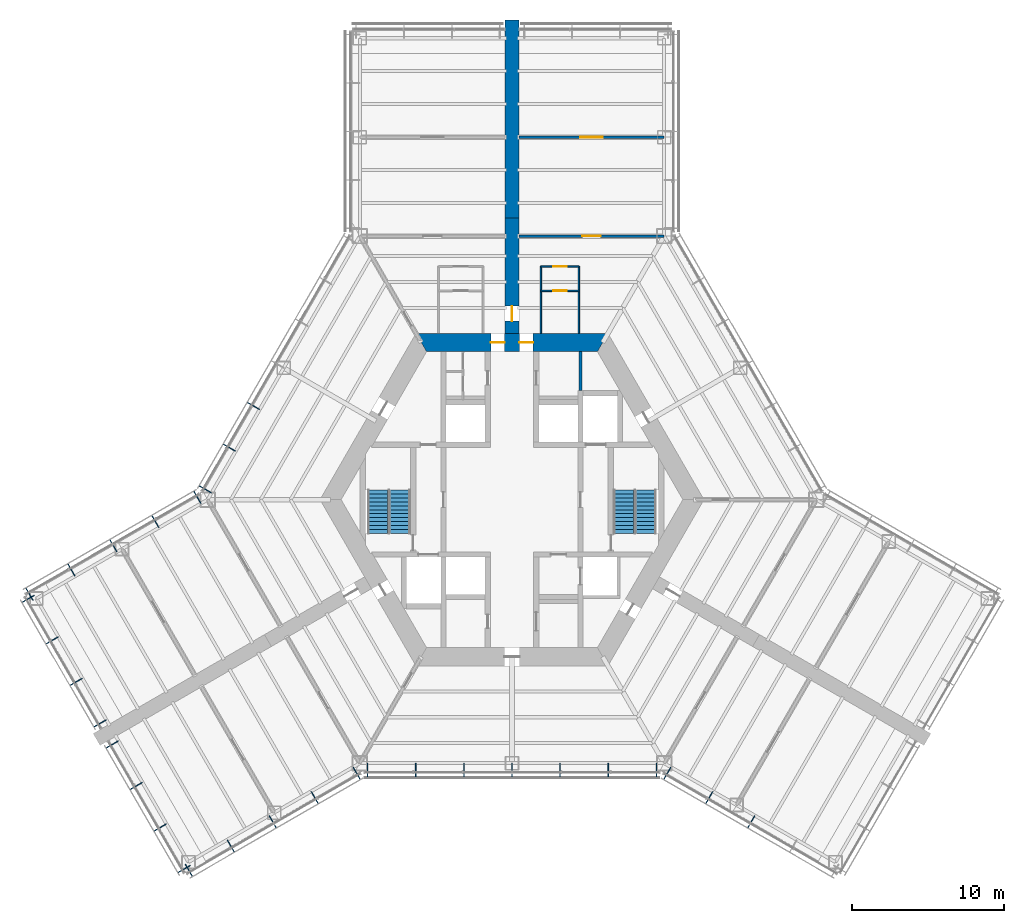
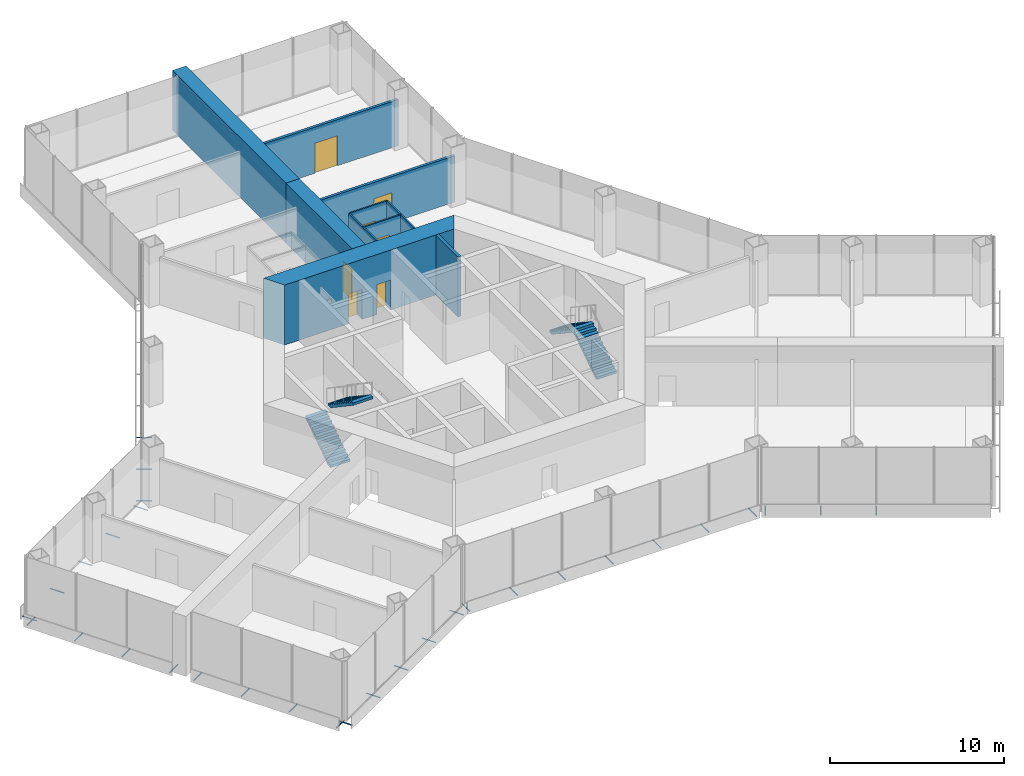
# One storey, part 13 of 15: 31 discrete accessories, 10 walls, 7 doors, 4 stair flights, 7 openings, 2 elements without a shape of their own.
"""IFC4 building model written with IfcOpenShell, lengths in metres."""

from ifc_helpers import new_model, si_unit, direction, frame, frame_2d, origin, origin_2d, place, context, subcontext, project, spatial, polyline, rectangle, hollow_circle, outline, extrude, material, layer, layer_set, material_profile, profile_set, type_object, element, fill, aggregate, save


model = new_model("IFC4")

# Units and contexts
model_context = context("Model", 3, precision=1e-05, world=origin(), true_north=direction((0.0, 1.0)))
body_context = subcontext(model_context, "Body", "Model", "MODEL_VIEW")
ifc_project = project(units=[si_unit("LENGTHUNIT", "METRE"), si_unit("AREAUNIT", "SQUARE_METRE"), si_unit("VOLUMEUNIT", "CUBIC_METRE"), si_unit("PLANEANGLEUNIT", "RADIAN"), si_unit("MASSUNIT", "GRAM", prefix="KILO")], contexts=[model_context])

# Site, building, storey
site_placement = place(None, origin())
site = spatial("IfcSite", under=ifc_project, at=site_placement, CompositionType="ELEMENT")
building_placement = place(site_placement, origin())
building = spatial("IfcBuilding", under=site, at=building_placement, Name="Kasaneha Research Tower", CompositionType="ELEMENT")
storey_placement = place(building_placement, frame((0.0, 0.0, 35.199951171875)))
storey = spatial("IfcBuildingStorey", under=building, at=storey_placement, Name="L09", CompositionType="ELEMENT", Elevation=35.199951171875)

# Wall, openings, doors
ifc_material_1 = material(Name="Concrete Fc100", Category="concrete")
ifc_layer_1 = layer(ifc_material_1, 1.199951171875)
ifc_layer_set_1 = layer_set([ifc_layer_1], Name="Core wall 1200 Fc100")
wall_type_1 = type_object("IfcWallType", Name="Core wall 1200 Fc100", PredefinedType="SHEAR", material=ifc_layer_set_1)
wall_1_placement = place(storey_placement, frame((5.961181640625, 10.324951171875, 0.0), z_axis=(0.0, 0.0, 1.0), x_axis=(-1.0, 0.0, 0.0)))
wall_1 = element("IfcWall", 1, at=wall_1_placement, inside=storey, type_object=wall_type_1, Name="Core wall 090 L09", PredefinedType="SHEAR", context=body_context, shape_type="SweptSolid", body=[
    extrude(outline(polyline([(-0.346435546875, -0.60009765625), (4.57373046875, -0.60009765625), (5.4736328125, -0.60009765625), (6.44873046875, -0.60009765625), (7.3486328125, -0.60009765625), (12.268798828125, -0.60009765625), (11.575927734375, 0.60009765625), (7.3486328125, 0.60009765625), (6.44873046875, 0.60009765625), (5.4736328125, 0.60009765625), (4.57373046875, 0.60009765625), (0.346435546875, 0.60009765625), (-0.346435546875, -0.60009765625)])), origin(), (0.0, 0.0, 1.0), 4.199951171875),
])
opening_1_placement = place(wall_1_placement, frame((6.44873046875, 0.0, 0.0)))
opening_1 = element("IfcOpeningElement", 2, at=opening_1_placement, cuts=wall_1, Name="Opening L09-D01", PredefinedType="OPENING", context=body_context, shape_type="SweptSolid", body=[
    extrude(rectangle(XDim=0.89990234375, YDim=2.10009765625, at=frame_2d((0.449951171875, 1.050048828125))), frame((0.0, 0.60986328125, 0.0), z_axis=(0.0, -1.0, 0.0), x_axis=(1.0, 0.0, 0.0)), (0.0, 0.0, 1.0), 1.219970703125),
])
opening_2_placement = place(wall_1_placement, frame((4.57373046875, 0.0, 0.0)))
opening_2 = element("IfcOpeningElement", 3, at=opening_2_placement, cuts=wall_1, Name="Opening L09-D02", PredefinedType="OPENING", context=body_context, shape_type="SweptSolid", body=[
    extrude(rectangle(XDim=0.89990234375, YDim=2.10009765625, at=frame_2d((0.449951171875, 1.050048828125))), frame((0.0, 0.60986328125, 0.0), z_axis=(0.0, -1.0, 0.0), x_axis=(1.0, 0.0, 0.0)), (0.0, 0.0, 1.0), 1.219970703125),
])
ifc_material_2 = material(Name="Steel", Category="steel")
door_type_1 = type_object("IfcDoorType", Name="Toilet door FD20 900x2100", OperationType="NOTDEFINED", PredefinedType="DOOR", material=ifc_material_2)
door_1_placement = place(opening_1_placement, origin())
door_1 = element("IfcDoor", 4, at=door_1_placement, inside=storey, type_object=door_type_1, Name="Core door north 1 L09-D01", OperationType="SINGLE_SWING_RIGHT", OverallHeight=2.10009765625, OverallWidth=0.89990234375, PredefinedType="DOOR", context=body_context, shape_type="SweptSolid", body=[
    extrude(rectangle(XDim=0.89990234375, YDim=2.10009765625, at=frame_2d((0.449951171875, 1.050048828125))), frame((0.0, 0.02490234375, 0.0), z_axis=(0.0, -1.0, 0.0), x_axis=(1.0, 0.0, 0.0)), (0.0, 0.0, 1.0), 0.050048828125),
])
fill(opening_1, door_1)
door_2_placement = place(opening_2_placement, origin())
door_2 = element("IfcDoor", 5, at=door_2_placement, inside=storey, type_object=door_type_1, Name="Core door north 2 L09-D02", OperationType="SINGLE_SWING_LEFT", OverallHeight=2.10009765625, OverallWidth=0.89990234375, PredefinedType="DOOR", context=body_context, shape_type="SweptSolid", body=[
    extrude(rectangle(XDim=0.89990234375, YDim=2.10009765625, at=frame_2d((0.449951171875, 1.050048828125))), frame((0.0, 0.02490234375, 0.0), z_axis=(0.0, -1.0, 0.0), x_axis=(1.0, 0.0, 0.0)), (0.0, 0.0, 1.0), 0.050048828125),
])
fill(opening_2, door_2)

# Wall, opening, door
ifc_material_3 = material(Name="Gypsum board on steel studs, two layers each side", Category="steel")
ifc_layer_2 = layer(ifc_material_3, 0.175048828125)
ifc_layer_set_2 = layer_set([ifc_layer_2], Name="Laboratory fire partition 175")
wall_type_2 = type_object("IfcWallType", Name="Laboratory fire partition 175", PredefinedType="PARTITIONING", material=ifc_layer_set_2)
wall_2_placement = place(storey_placement, frame((0.449951171875, 17.320556640625, 0.0), z_axis=(0.0, 0.0, 1.0), x_axis=(1.0, 0.0, 0.0)))
wall_2 = element("IfcWall", 6, at=wall_2_placement, inside=storey, type_object=wall_type_2, Name="Laboratory fire partition LABA-E L09", PredefinedType="PARTITIONING", context=body_context, shape_type="SweptSolid", body=[
    extrude(rectangle(XDim=9.550048828125, YDim=0.175048828125, at=frame_2d((4.77490234375, 0.0))), origin(), (0.0, 0.0, 1.0), 3.238037109375),
])
opening_3_placement = place(wall_2_placement, frame((4.175048828125, 0.0, 0.0)))
opening_3 = element("IfcOpeningElement", 7, at=opening_3_placement, cuts=wall_2, Name="Opening L09-D27", PredefinedType="OPENING", context=body_context, shape_type="SweptSolid", body=[
    extrude(rectangle(XDim=1.199951171875, YDim=2.10009765625, at=frame_2d((0.60009765625, 1.050048828125))), frame((0.0, 0.09765625, 0.0), z_axis=(0.0, -1.0, 0.0), x_axis=(1.0, 0.0, 0.0)), (0.0, 0.0, 1.0), 0.195068359375),
])
ifc_material_4 = material(Name="Steel", Category="steel")
door_type_2 = type_object("IfcDoorType", Name="Laboratory door FD60 1200x2100", OperationType="DOUBLE_DOOR_SINGLE_SWING", PredefinedType="DOOR", material=ifc_material_4)
door_3_placement = place(opening_3_placement, origin())
door_3 = element("IfcDoor", 8, at=door_3_placement, inside=storey, type_object=door_type_2, Name="Laboratory door L09-D27", OperationType="DOUBLE_DOOR_SINGLE_SWING", OverallHeight=2.10009765625, OverallWidth=1.199951171875, PredefinedType="DOOR", context=body_context, shape_type="SweptSolid", body=[
    extrude(rectangle(XDim=1.199951171875, YDim=2.10009765625, at=frame_2d((0.60009765625, 1.050048828125))), frame((0.0, 0.02490234375, 0.0), z_axis=(0.0, -1.0, 0.0), x_axis=(1.0, 0.0, 0.0)), (0.0, 0.0, 1.0), 0.050048828125),
])
fill(opening_3, door_3)

wall_3_placement = place(storey_placement, frame((0.449951171875, 23.820556640625, 0.0), z_axis=(0.0, 0.0, 1.0), x_axis=(1.0, 0.0, 0.0)))
wall_3 = element("IfcWall", 9, at=wall_3_placement, inside=storey, type_object=wall_type_2, Name="Laboratory fire partition INSA-E L09", PredefinedType="PARTITIONING", context=body_context, shape_type="SweptSolid", body=[
    extrude(rectangle(XDim=9.550048828125, YDim=0.175048828125, at=frame_2d((4.77490234375, 0.0))), origin(), (0.0, 0.0, 1.0), 3.22998046875),
])
opening_4_placement = place(wall_3_placement, frame((4.02490234375, 0.0, 0.0)))
opening_4 = element("IfcOpeningElement", 10, at=opening_4_placement, cuts=wall_3, Name="Opening L09-D28", PredefinedType="OPENING", context=body_context, shape_type="SweptSolid", body=[
    extrude(rectangle(XDim=1.5, YDim=2.10009765625, at=frame_2d((0.75, 1.050048828125))), frame((0.0, 0.09765625, 0.0), z_axis=(0.0, -1.0, 0.0), x_axis=(1.0, 0.0, 0.0)), (0.0, 0.0, 1.0), 0.195068359375),
])
ifc_material_5 = material(Name="Steel", Category="steel")
door_type_3 = type_object("IfcDoorType", Name="Laboratory door FD60 1500x2100", OperationType="DOUBLE_DOOR_SINGLE_SWING", PredefinedType="DOOR", material=ifc_material_5)
door_4_placement = place(opening_4_placement, origin())
door_4 = element("IfcDoor", 11, at=door_4_placement, inside=storey, type_object=door_type_3, Name="Instrument room door L09-D28", OperationType="DOUBLE_DOOR_SINGLE_SWING", OverallHeight=2.10009765625, OverallWidth=1.5, PredefinedType="DOOR", context=body_context, shape_type="SweptSolid", body=[
    extrude(rectangle(XDim=1.5, YDim=2.10009765625, at=frame_2d((0.75, 1.050048828125))), frame((0.0, 0.02490234375, 0.0), z_axis=(0.0, -1.0, 0.0), x_axis=(1.0, 0.0, 0.0)), (0.0, 0.0, 1.0), 0.050048828125),
])
fill(opening_4, door_4)

ifc_material_6 = material(Name="Gypsum board on steel studs, one layer each side", Category="steel")
ifc_layer_3 = layer(ifc_material_6, 0.10009765625)
ifc_layer_set_3 = layer_set([ifc_layer_3], Name="Office partition 100")
wall_type_3 = type_object("IfcWallType", Name="Office partition 100", PredefinedType="PARTITIONING", material=ifc_layer_set_3)
wall_4_placement = place(storey_placement, frame((1.89990234375, 13.72509765625, 0.0), z_axis=(0.0, 0.0, 1.0), x_axis=(1.0, 0.0, 0.0)))
wall_4 = element("IfcWall", 12, at=wall_4_placement, inside=storey, type_object=wall_type_3, Name="Office partition WCAE1 L09", PredefinedType="PARTITIONING", context=body_context, shape_type="SweptSolid", body=[
    extrude(rectangle(XDim=2.5, YDim=0.10009765625, at=frame_2d((1.25, 0.0))), origin(), (0.0, 0.0, 1.0), 3.22998046875),
])
opening_5_placement = place(wall_4_placement, frame((0.800048828125, 0.0, 0.0)))
opening_5 = element("IfcOpeningElement", 13, at=opening_5_placement, cuts=wall_4, Name="Opening L09-D25", PredefinedType="OPENING", context=body_context, shape_type="SweptSolid", body=[
    extrude(rectangle(XDim=0.89990234375, YDim=2.10009765625, at=frame_2d((0.449951171875, 1.050048828125))), frame((0.0, 0.06005859375, 0.0), z_axis=(0.0, -1.0, 0.0), x_axis=(1.0, 0.0, 0.0)), (0.0, 0.0, 1.0), 0.1201171875),
])
ifc_material_7 = material(Name="Steel", Category="steel")
door_type_4 = type_object("IfcDoorType", Name="Toilet lobby door FD30 900x2100", OperationType="NOTDEFINED", PredefinedType="DOOR", material=ifc_material_7)
door_5_placement = place(opening_5_placement, origin())
door_5 = element("IfcDoor", 14, at=door_5_placement, inside=storey, type_object=door_type_4, Name="Women's WC door L09-D25", OperationType="SINGLE_SWING_LEFT", OverallHeight=2.10009765625, OverallWidth=0.89990234375, PredefinedType="DOOR", context=body_context, shape_type="SweptSolid", body=[
    extrude(rectangle(XDim=0.89990234375, YDim=2.10009765625, at=frame_2d((0.449951171875, 1.050048828125))), frame((0.0, 0.02490234375, 0.0), z_axis=(0.0, -1.0, 0.0), x_axis=(1.0, 0.0, 0.0)), (0.0, 0.0, 1.0), 0.050048828125),
])
fill(opening_5, door_5)

wall_5_placement = place(storey_placement, frame((1.89990234375, 15.324951171875, 0.0), z_axis=(0.0, 0.0, 1.0), x_axis=(1.0, 0.0, 0.0)))
wall_5 = element("IfcWall", 15, at=wall_5_placement, inside=storey, type_object=wall_type_3, Name="Office partition WCAE4 L09", PredefinedType="PARTITIONING", context=body_context, shape_type="SweptSolid", body=[
    extrude(rectangle(XDim=2.5, YDim=0.10009765625, at=frame_2d((1.25, 0.0))), origin(), (0.0, 0.0, 1.0), 3.22998046875),
])
opening_6_placement = place(wall_5_placement, frame((0.800048828125, 0.0, 0.0)))
opening_6 = element("IfcOpeningElement", 16, at=opening_6_placement, cuts=wall_5, Name="Opening L09-D26", PredefinedType="OPENING", context=body_context, shape_type="SweptSolid", body=[
    extrude(rectangle(XDim=0.89990234375, YDim=2.10009765625, at=frame_2d((0.449951171875, 1.050048828125))), frame((0.0, 0.06005859375, 0.0), z_axis=(0.0, -1.0, 0.0), x_axis=(1.0, 0.0, 0.0)), (0.0, 0.0, 1.0), 0.1201171875),
])
door_6_placement = place(opening_6_placement, origin())
door_6 = element("IfcDoor", 17, at=door_6_placement, inside=storey, type_object=door_type_4, Name="Toilet lobby door L09-D26", OperationType="SINGLE_SWING_LEFT", OverallHeight=2.10009765625, OverallWidth=0.89990234375, PredefinedType="DOOR", context=body_context, shape_type="SweptSolid", body=[
    extrude(rectangle(XDim=0.89990234375, YDim=2.10009765625, at=frame_2d((0.449951171875, 1.050048828125))), frame((0.0, 0.02490234375, 0.0), z_axis=(0.0, -1.0, 0.0), x_axis=(1.0, 0.0, 0.0)), (0.0, 0.0, 1.0), 0.050048828125),
])
fill(opening_6, door_6)

# Walls
for number, where, z_axis, x_axis, name in (
    (18, (1.89990234375, 10.925048828125, 0.0), (0.0, 0.0, 1.0), (0.0, 1.0, 0.0), "Office partition WCAE2 L09"),
    (19, (4.39990234375, 10.925048828125, 0.0), (0.0, 0.0, 1.0), (0.0, 1.0, 0.0), "Office partition WCAE3 L09"),
):
    element("IfcWall", number, at=place(storey_placement, frame(where, z_axis=z_axis, x_axis=x_axis)), inside=storey, type_object=wall_type_3, Name=name, PredefinedType="PARTITIONING", context=body_context, shape_type="SweptSolid", body=[
        extrude(rectangle(XDim=4.39990234375, YDim=0.10009765625, at=frame_2d((2.199951171875, 0.0))), origin(), (0.0, 0.0, 1.0), 3.22998046875),
    ])
ifc_material_8 = material(Name="Concrete block", Category="concrete")
ifc_layer_4 = layer(ifc_material_8, 0.199951171875)
ifc_layer_set_4 = layer_set([ifc_layer_4], Name="Riser enclosure wall 200")
wall_type_4 = type_object("IfcWallType", Name="Riser enclosure wall 200", PredefinedType="STANDARD", material=ifc_layer_set_4)
wall_6_placement = place(storey_placement, frame((4.5, 7.175048828125, 0.0), z_axis=(0.0, 0.0, 1.0), x_axis=(0.0, 1.0, 0.0)))
element("IfcWall", 20, at=wall_6_placement, inside=storey, type_object=wall_type_4, Name="Riser enclosure wall L09", PredefinedType="STANDARD", context=body_context, shape_type="SweptSolid", body=[
    extrude(rectangle(XDim=2.550048828125, YDim=0.199951171875, at=frame_2d((1.27490234375, 0.0))), origin(), (0.0, 0.0, 1.0), 4.199951171875),
])

# Wall, opening, door
ifc_material_9 = material(Name="Concrete Fc100", Category="concrete")
ifc_layer_5 = layer(ifc_material_9, 0.89990234375)
ifc_layer_set_5 = layer_set([ifc_layer_5], Name="Spine wall 900 Fc100")
wall_type_5 = type_object("IfcWallType", Name="Spine wall 900 Fc100", PredefinedType="SHEAR", material=ifc_layer_set_5)
wall_7_placement = place(storey_placement, frame((0.0, 10.925048828125, 0.0), z_axis=(0.0, 0.0, 1.0), x_axis=(0.0, 1.0, 0.0)))
wall_7 = element("IfcWall", 21, at=wall_7_placement, inside=storey, type_object=wall_type_5, Name="Spine wall A L09", PredefinedType="SHEAR", context=body_context, shape_type="SweptSolid", body=[
    extrude(rectangle(XDim=7.595458984375, YDim=0.89990234375, at=frame_2d((3.7978515625, 0.0))), origin(), (0.0, 0.0, 1.0), 4.199951171875),
])
opening_7_placement = place(wall_7_placement, frame((0.800048828125, 0.0, 0.0)))
opening_7 = element("IfcOpeningElement", 22, at=opening_7_placement, cuts=wall_7, Name="Opening L09-D17", PredefinedType="OPENING", context=body_context, shape_type="SweptSolid", body=[
    extrude(rectangle(XDim=1.0, YDim=2.10009765625, at=frame_2d((0.5, 1.050048828125))), frame((0.0, 0.4599609375, 0.0), z_axis=(0.0, -1.0, 0.0), x_axis=(1.0, 0.0, 0.0)), (0.0, 0.0, 1.0), 0.919921875),
])
ifc_material_10 = material(Name="Steel", Category="steel")
door_type_5 = type_object("IfcDoorType", Name="Specified fire door FD60 1000x2100", OperationType="NOTDEFINED", PredefinedType="DOOR", material=ifc_material_10)
door_7_placement = place(opening_7_placement, origin())
door_7 = element("IfcDoor", 23, at=door_7_placement, inside=storey, type_object=door_type_5, Name="Spine doorway A L09-D17", OperationType="SINGLE_SWING_LEFT", OverallHeight=2.10009765625, OverallWidth=1.0, PredefinedType="DOOR", context=body_context, shape_type="SweptSolid", body=[
    extrude(rectangle(XDim=1.0, YDim=2.10009765625, at=frame_2d((0.5, 1.050048828125))), frame((0.0, 0.02490234375, 0.0), z_axis=(0.0, -1.0, 0.0), x_axis=(1.0, 0.0, 0.0)), (0.0, 0.0, 1.0), 0.050048828125),
])
fill(opening_7, door_7)

# Wall
wall_8_placement = place(storey_placement, frame((0.0, 18.5205078125, 0.0), z_axis=(0.0, 0.0, 1.0), x_axis=(0.0, 1.0, 0.0)))
element("IfcWall", 24, at=wall_8_placement, inside=storey, type_object=wall_type_5, Name="Spine wall A wing L09", PredefinedType="SHEAR", context=body_context, shape_type="SweptSolid", body=[
    extrude(rectangle(XDim=13.0, YDim=0.89990234375, at=frame_2d((6.5, 0.0))), origin(), (0.0, 0.0, 1.0), 4.199951171875),
])

# Stair, stair flights
ifc_material_11 = material(Name="Concrete Fc24", Category="concrete")
stair_type = type_object("IfcStairType", Name="Half-turn stair 24 risers", PredefinedType="HALF_TURN_STAIR", material=ifc_material_11)
stair_1_placement = place(storey_placement, origin())
stair_1 = element("IfcStair", 25, at=stair_1_placement, inside=storey, type_object=stair_type, Name="Stair 1 L09", PredefinedType="HALF_TURN_STAIR")
ifc_material_12 = material(Name="Concrete Fc24", Category="concrete")
stair_flight_type = type_object("IfcStairFlightType", Name="Stair flight 12 risers 175.0", PredefinedType="STRAIGHT", material=ifc_material_12)
stair_flight_1_placement = place(storey_placement, frame((8.824951171875, -2.22509765625, 0.0), z_axis=(0.0, 0.0, 1.0), x_axis=(0.0, 1.0, 0.0)))
stair_flight_1 = element("IfcStairFlight", 26, at=stair_flight_1_placement, type_object=stair_flight_type, Name="ST1-24R flight 1", NumberOfRisers=12, NumberOfTreads=11, PredefinedType="STRAIGHT", RiserHeight=0.175, TreadLength=0.26, context=body_context, shape_type="SweptSolid", body=[
    extrude(outline(polyline([(0.0, 0.0), (0.0, 0.175048828125), (0.260009765625, 0.175048828125), (0.260009765625, 0.35009765625), (0.52001953125, 0.35009765625), (0.52001953125, 0.52490234375), (0.780029296875, 0.52490234375), (0.780029296875, 0.699951171875), (1.0400390625, 0.699951171875), (1.0400390625, 0.875), (1.300048828125, 0.875), (1.300048828125, 1.050048828125), (1.56005859375, 1.050048828125), (1.56005859375, 1.22509765625), (1.820068359375, 1.22509765625), (1.820068359375, 1.39990234375), (2.080078125, 1.39990234375), (2.080078125, 1.574951171875), (2.340087890625, 1.574951171875), (2.340087890625, 1.75), (2.60009765625, 1.75), (2.60009765625, 1.925048828125), (2.860107421875, 1.925048828125), (2.860107421875, 2.10009765625), (2.860107421875, 1.744384765625), (0.2685546875, 0.0), (0.0, 0.0)])), frame((0.0, 0.64990234375, 0.0), z_axis=(0.0, -1.0, 0.0), x_axis=(1.0, 0.0, 0.0)), (0.0, 0.0, 1.0), 1.300048828125),
])
stair_flight_2_placement = place(storey_placement, frame((7.324951171875, 0.635009765625, 2.10009765625), z_axis=(0.0, 0.0, 1.0), x_axis=(0.0, -1.0, 0.0)))
stair_flight_2 = element("IfcStairFlight", 27, at=stair_flight_2_placement, type_object=stair_flight_type, Name="ST1-24R flight 2", NumberOfRisers=12, NumberOfTreads=11, PredefinedType="STRAIGHT", RiserHeight=0.175, TreadLength=0.26, context=body_context, shape_type="SweptSolid", body=[
    extrude(outline(polyline([(0.0, 0.0), (0.0, 0.175048828125), (0.260009765625, 0.175048828125), (0.260009765625, 0.35009765625), (0.52001953125, 0.35009765625), (0.52001953125, 0.52490234375), (0.780029296875, 0.52490234375), (0.780029296875, 0.699951171875), (1.0400390625, 0.699951171875), (1.0400390625, 0.875), (1.300048828125, 0.875), (1.300048828125, 1.050048828125), (1.56005859375, 1.050048828125), (1.56005859375, 1.22509765625), (1.820068359375, 1.22509765625), (1.820068359375, 1.39990234375), (2.080078125, 1.39990234375), (2.080078125, 1.574951171875), (2.340087890625, 1.574951171875), (2.340087890625, 1.75), (2.60009765625, 1.75), (2.60009765625, 1.925048828125), (2.860107421875, 1.925048828125), (2.860107421875, 2.10009765625), (2.860107421875, 1.744384765625), (0.2685546875, 0.0), (0.0, 0.0)])), frame((0.0, 0.64990234375, 0.0), z_axis=(0.0, -1.0, 0.0), x_axis=(1.0, 0.0, 0.0)), (0.0, 0.0, 1.0), 1.300048828125),
])
aggregate(stair_1, [stair_flight_1, stair_flight_2])

stair_2_placement = place(storey_placement, origin())
stair_2 = element("IfcStair", 28, at=stair_2_placement, inside=storey, type_object=stair_type, Name="Stair 2 L09", PredefinedType="HALF_TURN_STAIR")
stair_flight_3_placement = place(storey_placement, frame((-8.824951171875, -2.22509765625, 0.0), z_axis=(0.0, 0.0, 1.0), x_axis=(0.0, 1.0, 0.0)))
stair_flight_3 = element("IfcStairFlight", 29, at=stair_flight_3_placement, type_object=stair_flight_type, Name="ST2-24R flight 1", NumberOfRisers=12, NumberOfTreads=11, PredefinedType="STRAIGHT", RiserHeight=0.175, TreadLength=0.26, context=body_context, shape_type="SweptSolid", body=[
    extrude(outline(polyline([(0.0, 0.0), (0.0, 0.175048828125), (0.260009765625, 0.175048828125), (0.260009765625, 0.35009765625), (0.52001953125, 0.35009765625), (0.52001953125, 0.52490234375), (0.780029296875, 0.52490234375), (0.780029296875, 0.699951171875), (1.0400390625, 0.699951171875), (1.0400390625, 0.875), (1.300048828125, 0.875), (1.300048828125, 1.050048828125), (1.56005859375, 1.050048828125), (1.56005859375, 1.22509765625), (1.820068359375, 1.22509765625), (1.820068359375, 1.39990234375), (2.080078125, 1.39990234375), (2.080078125, 1.574951171875), (2.340087890625, 1.574951171875), (2.340087890625, 1.75), (2.60009765625, 1.75), (2.60009765625, 1.925048828125), (2.860107421875, 1.925048828125), (2.860107421875, 2.10009765625), (2.860107421875, 1.744384765625), (0.2685546875, 0.0), (0.0, 0.0)])), frame((0.0, 0.64990234375, 0.0), z_axis=(0.0, -1.0, 0.0), x_axis=(1.0, 0.0, 0.0)), (0.0, 0.0, 1.0), 1.300048828125),
])
stair_flight_4_placement = place(storey_placement, frame((-7.324951171875, 0.635009765625, 2.10009765625), z_axis=(0.0, 0.0, 1.0), x_axis=(0.0, -1.0, 0.0)))
stair_flight_4 = element("IfcStairFlight", 30, at=stair_flight_4_placement, type_object=stair_flight_type, Name="ST2-24R flight 2", NumberOfRisers=12, NumberOfTreads=11, PredefinedType="STRAIGHT", RiserHeight=0.175, TreadLength=0.26, context=body_context, shape_type="SweptSolid", body=[
    extrude(outline(polyline([(0.0, 0.0), (0.0, 0.175048828125), (0.260009765625, 0.175048828125), (0.260009765625, 0.35009765625), (0.52001953125, 0.35009765625), (0.52001953125, 0.52490234375), (0.780029296875, 0.52490234375), (0.780029296875, 0.699951171875), (1.0400390625, 0.699951171875), (1.0400390625, 0.875), (1.300048828125, 0.875), (1.300048828125, 1.050048828125), (1.56005859375, 1.050048828125), (1.56005859375, 1.22509765625), (1.820068359375, 1.22509765625), (1.820068359375, 1.39990234375), (2.080078125, 1.39990234375), (2.080078125, 1.574951171875), (2.340087890625, 1.574951171875), (2.340087890625, 1.75), (2.60009765625, 1.75), (2.60009765625, 1.925048828125), (2.860107421875, 1.925048828125), (2.860107421875, 2.10009765625), (2.860107421875, 1.744384765625), (0.2685546875, 0.0), (0.0, 0.0)])), frame((0.0, 0.64990234375, 0.0), z_axis=(0.0, -1.0, 0.0), x_axis=(1.0, 0.0, 0.0)), (0.0, 0.0, 1.0), 1.300048828125),
])
aggregate(stair_2, [stair_flight_3, stair_flight_4])

# Discrete accessories
ifc_material_13 = material(Name="Steel STK400", Category="steel")
ifc_material_profile = material_profile(ifc_material_13, hollow_circle(Radius=0.0380859375, WallThickness=0.00390625, at=origin_2d()), Name="CHS-76.3x4.0")
ifc_profile_set = profile_set([ifc_material_profile], Name="Steel STK400")
discrete_accessory_type = type_object("IfcDiscreteAccessoryType", Name="Screen bracket CHS-76.3x4.0", PredefinedType="BRACKET", material=ifc_profile_set)
discrete_accessory_1_placement = place(storey_placement, frame((-21.474853515625, -23.945556640625, -0.320068359375), z_axis=(0.500021113727, -0.866013213425, 0.0), x_axis=(0.866013213425, 0.500021113727, 0.0)))
element("IfcDiscreteAccessory", 31, at=discrete_accessory_1_placement, inside=storey, type_object=discrete_accessory_type, Name="Screen bracket 1", PredefinedType="BRACKET", context=body_context, shape_type="SweptSolid", body=[
    extrude(hollow_circle(Radius=0.0380859375, WallThickness=0.00390625, at=origin_2d()), origin(), (0.0, 0.0, 1.0), 0.919921875),
])
discrete_accessory_2_placement = place(storey_placement, frame((-18.716796875, -22.35302734375, -0.320068359375), z_axis=(0.500105201737, -0.865964657013, 0.0), x_axis=(0.865964657013, 0.500105201737, 0.0)))
element("IfcDiscreteAccessory", 32, at=discrete_accessory_2_placement, inside=storey, type_object=discrete_accessory_type, Name="Screen bracket 2", PredefinedType="BRACKET", context=body_context, shape_type="SweptSolid", body=[
    extrude(hollow_circle(Radius=0.0380859375, WallThickness=0.00390625, at=origin_2d()), origin(), (0.0, 0.0, 1.0), 0.920166015625),
])
discrete_accessory_3_placement = place(storey_placement, frame((-15.95849609375, -20.7607421875, -0.320068359375), z_axis=(0.500021113727, -0.866013213425, 0.0), x_axis=(0.866013213425, 0.500021113727, 0.0)))
element("IfcDiscreteAccessory", 33, at=discrete_accessory_3_placement, inside=storey, type_object=discrete_accessory_type, Name="Screen bracket 3", PredefinedType="BRACKET", context=body_context, shape_type="SweptSolid", body=[
    extrude(hollow_circle(Radius=0.0380859375, WallThickness=0.00390625, at=origin_2d()), origin(), (0.0, 0.0, 1.0), 0.919921875),
])
discrete_accessory_4_placement = place(storey_placement, frame((-13.200439453125, -19.168212890625, -0.320068359375), z_axis=(0.499906209203, -0.866079547155, 0.0), x_axis=(0.866079547155, 0.499906209203, 0.0)))
element("IfcDiscreteAccessory", 34, at=discrete_accessory_4_placement, inside=storey, type_object=discrete_accessory_type, Name="Screen bracket 4", PredefinedType="BRACKET", context=body_context, shape_type="SweptSolid", body=[
    extrude(hollow_circle(Radius=0.0380859375, WallThickness=0.00390625, at=origin_2d()), origin(), (0.0, 0.0, 1.0), 0.920166015625),
])
for number, where, z_axis, x_axis, name in (
    (35, (-10.4423828125, -17.575927734375, -0.320068359375), (0.500021113727, -0.866013213425, 0.0), (0.866013213425, 0.500021113727, 0.0), "Screen bracket 5"),
    (36, (-9.4892578125, -17.320556640625, -0.320068359375), (0.0, -1.0, 0.0), (1.0, 0.0, 0.0), "Screen bracket 1"),
    (37, (-6.326171875, -17.320556640625, -0.320068359375), (0.0, -1.0, 0.0), (1.0, 0.0, 0.0), "Screen bracket 2"),
    (38, (-3.1630859375, -17.320556640625, -0.320068359375), (0.0, -1.0, 0.0), (1.0, 0.0, 0.0), "Screen bracket 3"),
    (39, (0.0, -17.320556640625, -0.320068359375), (0.0, -1.0, 0.0), (1.0, 0.0, 0.0), "Screen bracket 4"),
    (40, (3.1630859375, -17.320556640625, -0.320068359375), (0.0, -1.0, 0.0), (1.0, 0.0, 0.0), "Screen bracket 5"),
    (41, (6.326171875, -17.320556640625, -0.320068359375), (0.0, -1.0, 0.0), (1.0, 0.0, 0.0), "Screen bracket 6"),
    (42, (9.4892578125, -17.320556640625, -0.320068359375), (0.0, -1.0, 0.0), (1.0, 0.0, 0.0), "Screen bracket 7"),
    (43, (10.4423828125, -17.575927734375, -0.320068359375), (-0.500021113727, -0.866013213425, 0.0), (0.866013213425, -0.500021113727, 0.0), "Screen bracket 1"),
):
    element("IfcDiscreteAccessory", number, at=place(storey_placement, frame(where, z_axis=z_axis, x_axis=x_axis)), inside=storey, type_object=discrete_accessory_type, Name=name, PredefinedType="BRACKET", context=body_context, shape_type="SweptSolid", body=[
        extrude(hollow_circle(Radius=0.0380859375, WallThickness=0.00390625, at=origin_2d()), origin(), (0.0, 0.0, 1.0), 0.919921875),
    ])
discrete_accessory_5_placement = place(storey_placement, frame((13.200439453125, -19.168212890625, -0.320068359375), z_axis=(-0.499906209203, -0.866079547155, 0.0), x_axis=(0.866079547155, -0.499906209203, 0.0)))
element("IfcDiscreteAccessory", 44, at=discrete_accessory_5_placement, inside=storey, type_object=discrete_accessory_type, Name="Screen bracket 2", PredefinedType="BRACKET", context=body_context, shape_type="SweptSolid", body=[
    extrude(hollow_circle(Radius=0.0380859375, WallThickness=0.00390625, at=origin_2d()), origin(), (0.0, 0.0, 1.0), 0.920166015625),
])
for number, where, z_axis, x_axis, name in (
    (45, (15.95849609375, -20.7607421875, -0.320068359375), (-0.500021113727, -0.866013213425, 0.0), (0.866013213425, -0.500021113727, 0.0), "Screen bracket 3"),
    (46, (-16.58154296875, 5.9208984375, -0.320068359375), (-0.866013213425, 0.500021113727, 0.0), (-0.500021113727, -0.866013213425, 0.0), "Screen bracket 5"),
    (47, (-18.1630859375, 3.181640625, -0.320068359375), (-0.866013213425, 0.500021113727, 0.0), (-0.500021113727, -0.866013213425, 0.0), "Screen bracket 6"),
    (48, (-19.74462890625, 0.4423828125, -0.320068359375), (-0.866013213425, 0.500021113727, 0.0), (-0.500021113727, -0.866013213425, 0.0), "Screen bracket 7"),
    (49, (-20.4423828125, -0.25537109375, -0.320068359375), (-0.500021113727, 0.866013213425, 0.0), (-0.866013213425, -0.500021113727, 0.0), "Screen bracket 1"),
):
    element("IfcDiscreteAccessory", number, at=place(storey_placement, frame(where, z_axis=z_axis, x_axis=x_axis)), inside=storey, type_object=discrete_accessory_type, Name=name, PredefinedType="BRACKET", context=body_context, shape_type="SweptSolid", body=[
        extrude(hollow_circle(Radius=0.0380859375, WallThickness=0.00390625, at=origin_2d()), origin(), (0.0, 0.0, 1.0), 0.919921875),
    ])
discrete_accessory_6_placement = place(storey_placement, frame((-23.200439453125, -1.847900390625, -0.320068359375), z_axis=(-0.499906209203, 0.866079547155, 0.0), x_axis=(-0.866079547155, -0.499906209203, 0.0)))
element("IfcDiscreteAccessory", 50, at=discrete_accessory_6_placement, inside=storey, type_object=discrete_accessory_type, Name="Screen bracket 2", PredefinedType="BRACKET", context=body_context, shape_type="SweptSolid", body=[
    extrude(hollow_circle(Radius=0.0380859375, WallThickness=0.00390625, at=origin_2d()), origin(), (0.0, 0.0, 1.0), 0.920166015625),
])
discrete_accessory_7_placement = place(storey_placement, frame((-25.95849609375, -3.440185546875, -0.320068359375), z_axis=(-0.500220121494, 0.865898279276, 0.0), x_axis=(-0.865898279276, -0.500220121494, 0.0)))
element("IfcDiscreteAccessory", 51, at=discrete_accessory_7_placement, inside=storey, type_object=discrete_accessory_type, Name="Screen bracket 3", PredefinedType="BRACKET", context=body_context, shape_type="SweptSolid", body=[
    extrude(hollow_circle(Radius=0.0380859375, WallThickness=0.00390625, at=origin_2d()), origin(), (0.0, 0.0, 1.0), 0.919921875),
])
discrete_accessory_8_placement = place(storey_placement, frame((-28.716796875, -5.03271484375, -0.320068359375), z_axis=(-0.499906209203, 0.866079547155, 0.0), x_axis=(-0.866079547155, -0.499906209203, 0.0)))
element("IfcDiscreteAccessory", 52, at=discrete_accessory_8_placement, inside=storey, type_object=discrete_accessory_type, Name="Screen bracket 4", PredefinedType="BRACKET", context=body_context, shape_type="SweptSolid", body=[
    extrude(hollow_circle(Radius=0.0380859375, WallThickness=0.00390625, at=origin_2d()), origin(), (0.0, 0.0, 1.0), 0.920166015625),
])
discrete_accessory_9_placement = place(storey_placement, frame((-31.474853515625, -6.625, -0.320068359375), z_axis=(-0.500021113727, 0.866013213425, 0.0), x_axis=(-0.866013213425, -0.500021113727, 0.0)))
element("IfcDiscreteAccessory", 53, at=discrete_accessory_9_placement, inside=storey, type_object=discrete_accessory_type, Name="Screen bracket 5", PredefinedType="BRACKET", context=body_context, shape_type="SweptSolid", body=[
    extrude(hollow_circle(Radius=0.0380859375, WallThickness=0.00390625, at=origin_2d()), origin(), (0.0, 0.0, 1.0), 0.919921875),
])
discrete_accessory_10_placement = place(storey_placement, frame((-31.38330078125, -6.283447265625, -0.320068359375), z_axis=(-0.866079547155, -0.499906209203, 0.0), x_axis=(0.499906209203, -0.866079547155, 0.0)))
element("IfcDiscreteAccessory", 54, at=discrete_accessory_10_placement, inside=storey, type_object=discrete_accessory_type, Name="Screen bracket 1", PredefinedType="BRACKET", context=body_context, shape_type="SweptSolid", body=[
    extrude(hollow_circle(Radius=0.0380859375, WallThickness=0.00390625, at=origin_2d()), origin(), (0.0, 0.0, 1.0), 0.920166015625),
])
for number, where, z_axis, x_axis, name in (
    (55, (-29.808349609375, -9.011474609375, -0.320068359375), (-0.866013213425, -0.500021113727, 0.0), (0.500021113727, -0.866013213425, 0.0), "Screen bracket 2"),
    (56, (-28.2333984375, -11.739501953125, -0.320068359375), (-0.866013213425, -0.500021113727, 0.0), (0.500021113727, -0.866013213425, 0.0), "Screen bracket 3"),
    (57, (-26.658447265625, -14.467529296875, -0.320068359375), (-0.866013213425, -0.500021113727, 0.0), (0.500021113727, -0.866013213425, 0.0), "Screen bracket 4"),
    (58, (-25.8583984375, -15.85302734375, -0.320068359375), (-0.866013213425, -0.500021113727, 0.0), (0.500021113727, -0.866013213425, 0.0), "Screen bracket 1"),
    (59, (-24.283447265625, -18.5810546875, -0.320068359375), (-0.866013213425, -0.500021113727, 0.0), (0.500021113727, -0.866013213425, 0.0), "Screen bracket 2"),
):
    element("IfcDiscreteAccessory", number, at=place(storey_placement, frame(where, z_axis=z_axis, x_axis=x_axis)), inside=storey, type_object=discrete_accessory_type, Name=name, PredefinedType="BRACKET", context=body_context, shape_type="SweptSolid", body=[
        extrude(hollow_circle(Radius=0.0380859375, WallThickness=0.00390625, at=origin_2d()), origin(), (0.0, 0.0, 1.0), 0.919921875),
    ])
for number, where, z_axis, x_axis, name in (
    (60, (-22.708251953125, -21.30908203125, -0.320068359375), (-0.866079547155, -0.499906209203, 0.0), (0.499906209203, -0.866079547155, 0.0), "Screen bracket 3"),
    (61, (-21.13330078125, -24.037109375, -0.320068359375), (-0.866079547155, -0.499906209203, 0.0), (0.499906209203, -0.866079547155, 0.0), "Screen bracket 4"),
):
    element("IfcDiscreteAccessory", number, at=place(storey_placement, frame(where, z_axis=z_axis, x_axis=x_axis)), inside=storey, type_object=discrete_accessory_type, Name=name, PredefinedType="BRACKET", context=body_context, shape_type="SweptSolid", body=[
        extrude(hollow_circle(Radius=0.0380859375, WallThickness=0.00390625, at=origin_2d()), origin(), (0.0, 0.0, 1.0), 0.920166015625),
    ])

save(model, "model.ifc")
